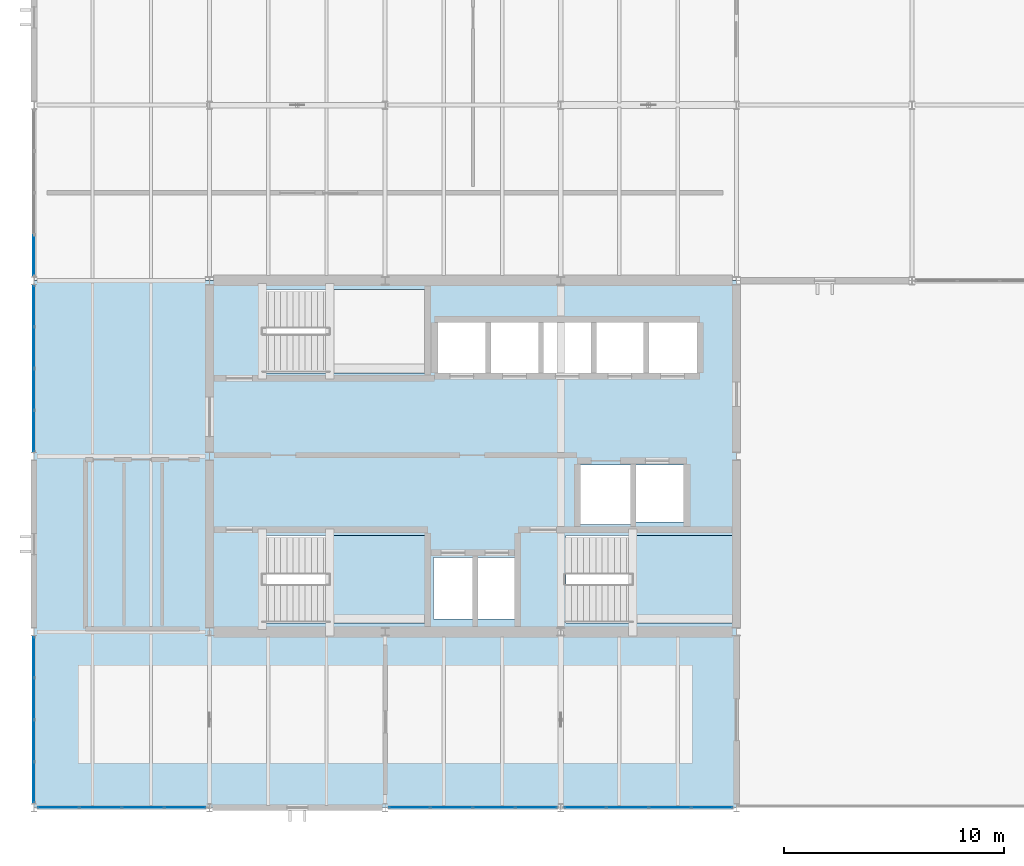
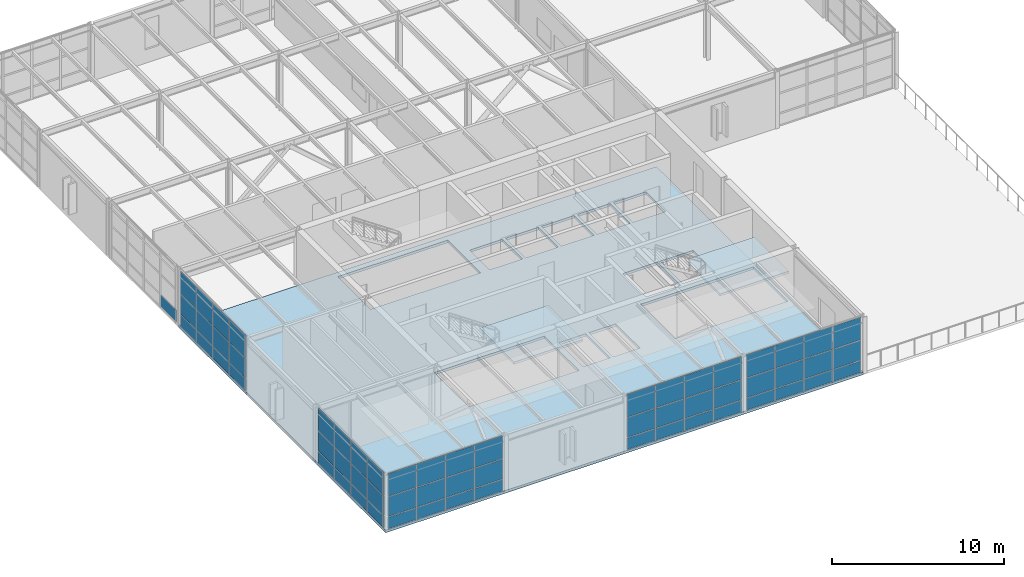
# One storey, part 15 of 21: 61 plates, 3 slabs, 8 elements without a shape of their own.
"""IFC4 building model written with IfcOpenShell, lengths in metres."""

from ifc_helpers import new_model, si_unit, direction, frame, origin, origin_2d, place, context, subcontext, project, spatial, polyline, rectangle, outline, extrude, material, layer, layer_set, type_object, element, aggregate, save


model = new_model("IFC4")

# Units and contexts
model_context = context("Model", 3, precision=1e-05, world=origin(), true_north=direction((0.0, 1.0)))
body_context = subcontext(model_context, "Body", "Model", "MODEL_VIEW")
ifc_project = project(units=[si_unit("LENGTHUNIT", "METRE"), si_unit("AREAUNIT", "SQUARE_METRE"), si_unit("VOLUMEUNIT", "CUBIC_METRE"), si_unit("PLANEANGLEUNIT", "RADIAN"), si_unit("MASSUNIT", "GRAM", prefix="KILO")], contexts=[model_context])

# Site, building, storey
site_placement = place(None, origin())
site = spatial("IfcSite", under=ifc_project, at=site_placement, CompositionType="ELEMENT")
building_placement = place(site_placement, origin())
building = spatial("IfcBuilding", under=site, at=building_placement, Name="Varnela Railside Interchange", CompositionType="ELEMENT")
storey_placement = place(building_placement, frame((0.0, 0.0, 23.800048828125)))
storey = spatial("IfcBuildingStorey", under=building, at=storey_placement, Name="L05", CompositionType="ELEMENT", Elevation=23.800048828125)

# Curtain wall, plates
ifc_material_1 = material(Name="Aluminium 6063-T6", Category="aluminium")
ifc_layer_1 = layer(ifc_material_1, 0.035888671875)
ifc_layer_set_1 = layer_set([ifc_layer_1], Name="Aluminium 6063-T6")
curtain_wall_type = type_object("IfcCurtainWallType", Name="Operations Wing Facade Curtain Wall CW-03", PredefinedType="USERDEFINED", material=ifc_layer_set_1)
curtain_wall_1_placement = place(storey_placement, origin())
curtain_wall_1 = element("IfcCurtainWall", 1, at=curtain_wall_1_placement, inside=storey, type_object=curtain_wall_type, Name="Curtain Wall CW-03 (L05) (CW-123)", ObjectType="CURTAIN WALL", PredefinedType="USERDEFINED")
ifc_material_2 = material(Name="Glass laminated double", Category="glass")
ifc_layer_2 = layer(ifc_material_2, 0.0400390625)
ifc_layer_set_2 = layer_set([ifc_layer_2], Name="Glass laminated double")
plate_type = type_object("IfcPlateType", Name="Acoustic Laminated Vision GL-03", PredefinedType="CURTAIN_PANEL", material=ifc_layer_set_2)
plate_1_placement = place(storey_placement, frame((34.888671875, 46.0, 0.059814453125), z_axis=(0.0, 0.0, 1.0), x_axis=(-1.0, 0.0, 0.0)))
plate_1 = element("IfcPlate", 2, at=plate_1_placement, type_object=plate_type, Name="CW-03 panel 1.1", PredefinedType="CURTAIN_PANEL", context=body_context, shape_type="SweptSolid", body=[
    extrude(rectangle(XDim=1.845703125, YDim=0.0400390625, at=origin_2d()), origin(), (0.0, 0.0, 1.0), 0.81005859375),
])
plate_2_placement = place(storey_placement, frame((34.888671875, 46.0, 0.929931640625), z_axis=(0.0, 0.0, 1.0), x_axis=(-1.0, 0.0, 0.0)))
plate_2 = element("IfcPlate", 3, at=plate_2_placement, type_object=plate_type, Name="CW-03 panel 1.2", PredefinedType="CURTAIN_PANEL", context=body_context, shape_type="SweptSolid", body=[
    extrude(rectangle(XDim=1.845703125, YDim=0.0400390625, at=origin_2d()), origin(), (0.0, 0.0, 1.0), 1.37158203125),
])
plate_3_placement = place(storey_placement, frame((34.888671875, 46.0, 2.361328125), z_axis=(0.0, 0.0, 1.0), x_axis=(-1.0, 0.0, 0.0)))
plate_3 = element("IfcPlate", 4, at=plate_3_placement, type_object=plate_type, Name="CW-03 panel 1.3", PredefinedType="CURTAIN_PANEL", context=body_context, shape_type="SweptSolid", body=[
    extrude(rectangle(XDim=1.845703125, YDim=0.0400390625, at=origin_2d()), origin(), (0.0, 0.0, 1.0), 1.598388671875),
])
plate_4_placement = place(storey_placement, frame((32.9677734375, 46.0, 0.059814453125), z_axis=(0.0, 0.0, 1.0), x_axis=(-1.0, 0.0, 0.0)))
plate_4 = element("IfcPlate", 5, at=plate_4_placement, type_object=plate_type, Name="CW-03 panel 2.1", PredefinedType="CURTAIN_PANEL", context=body_context, shape_type="SweptSolid", body=[
    extrude(rectangle(XDim=1.875732421875, YDim=0.0400390625, at=origin_2d()), origin(), (0.0, 0.0, 1.0), 0.81005859375),
])
plate_5_placement = place(storey_placement, frame((32.9677734375, 46.0, 0.929931640625), z_axis=(0.0, 0.0, 1.0), x_axis=(-1.0, 0.0, 0.0)))
plate_5 = element("IfcPlate", 6, at=plate_5_placement, type_object=plate_type, Name="CW-03 panel 2.2", PredefinedType="CURTAIN_PANEL", context=body_context, shape_type="SweptSolid", body=[
    extrude(rectangle(XDim=1.875732421875, YDim=0.0400390625, at=origin_2d()), origin(), (0.0, 0.0, 1.0), 1.37158203125),
])
plate_6_placement = place(storey_placement, frame((32.9677734375, 46.0, 2.361328125), z_axis=(0.0, 0.0, 1.0), x_axis=(-1.0, 0.0, 0.0)))
plate_6 = element("IfcPlate", 7, at=plate_6_placement, type_object=plate_type, Name="CW-03 panel 2.3", PredefinedType="CURTAIN_PANEL", context=body_context, shape_type="SweptSolid", body=[
    extrude(rectangle(XDim=1.875732421875, YDim=0.0400390625, at=origin_2d()), origin(), (0.0, 0.0, 1.0), 1.598388671875),
])
plate_7_placement = place(storey_placement, frame((31.0322265625, 46.0, 0.059814453125), z_axis=(0.0, 0.0, 1.0), x_axis=(-1.0, 0.0, 0.0)))
plate_7 = element("IfcPlate", 8, at=plate_7_placement, type_object=plate_type, Name="CW-03 panel 3.1", PredefinedType="CURTAIN_PANEL", context=body_context, shape_type="SweptSolid", body=[
    extrude(rectangle(XDim=1.875732421875, YDim=0.0400390625, at=origin_2d()), origin(), (0.0, 0.0, 1.0), 0.81005859375),
])
plate_8_placement = place(storey_placement, frame((31.0322265625, 46.0, 0.929931640625), z_axis=(0.0, 0.0, 1.0), x_axis=(-1.0, 0.0, 0.0)))
plate_8 = element("IfcPlate", 9, at=plate_8_placement, type_object=plate_type, Name="CW-03 panel 3.2", PredefinedType="CURTAIN_PANEL", context=body_context, shape_type="SweptSolid", body=[
    extrude(rectangle(XDim=1.875732421875, YDim=0.0400390625, at=origin_2d()), origin(), (0.0, 0.0, 1.0), 1.37158203125),
])
plate_9_placement = place(storey_placement, frame((31.0322265625, 46.0, 2.361328125), z_axis=(0.0, 0.0, 1.0), x_axis=(-1.0, 0.0, 0.0)))
plate_9 = element("IfcPlate", 10, at=plate_9_placement, type_object=plate_type, Name="CW-03 panel 3.3", PredefinedType="CURTAIN_PANEL", context=body_context, shape_type="SweptSolid", body=[
    extrude(rectangle(XDim=1.875732421875, YDim=0.0400390625, at=origin_2d()), origin(), (0.0, 0.0, 1.0), 1.598388671875),
])
plate_10_placement = place(storey_placement, frame((29.111328125, 46.0, 0.059814453125), z_axis=(0.0, 0.0, 1.0), x_axis=(-1.0, 0.0, 0.0)))
plate_10 = element("IfcPlate", 11, at=plate_10_placement, type_object=plate_type, Name="CW-03 panel 4.1", PredefinedType="CURTAIN_PANEL", context=body_context, shape_type="SweptSolid", body=[
    extrude(rectangle(XDim=1.845703125, YDim=0.0400390625, at=origin_2d()), origin(), (0.0, 0.0, 1.0), 0.81005859375),
])
plate_11_placement = place(storey_placement, frame((29.111328125, 46.0, 0.929931640625), z_axis=(0.0, 0.0, 1.0), x_axis=(-1.0, 0.0, 0.0)))
plate_11 = element("IfcPlate", 12, at=plate_11_placement, type_object=plate_type, Name="CW-03 panel 4.2", PredefinedType="CURTAIN_PANEL", context=body_context, shape_type="SweptSolid", body=[
    extrude(rectangle(XDim=1.845703125, YDim=0.0400390625, at=origin_2d()), origin(), (0.0, 0.0, 1.0), 1.37158203125),
])
plate_12_placement = place(storey_placement, frame((29.111328125, 46.0, 2.361328125), z_axis=(0.0, 0.0, 1.0), x_axis=(-1.0, 0.0, 0.0)))
plate_12 = element("IfcPlate", 13, at=plate_12_placement, type_object=plate_type, Name="CW-03 panel 4.3", PredefinedType="CURTAIN_PANEL", context=body_context, shape_type="SweptSolid", body=[
    extrude(rectangle(XDim=1.845703125, YDim=0.0400390625, at=origin_2d()), origin(), (0.0, 0.0, 1.0), 1.598388671875),
])
aggregate(curtain_wall_1, [plate_1, plate_2, plate_3, plate_4, plate_5, plate_6, plate_7, plate_8, plate_9, plate_10, plate_11, plate_12])

curtain_wall_2_placement = place(storey_placement, origin())
curtain_wall_2 = element("IfcCurtainWall", 14, at=curtain_wall_2_placement, inside=storey, type_object=curtain_wall_type, Name="Curtain Wall CW-03 (L05) (CW-131)", ObjectType="CURTAIN WALL", PredefinedType="USERDEFINED")
plate_13_placement = place(storey_placement, frame((26.888671875, 46.0, 0.059814453125), z_axis=(0.0, 0.0, 1.0), x_axis=(-1.0, 0.0, 0.0)))
plate_13 = element("IfcPlate", 15, at=plate_13_placement, type_object=plate_type, Name="CW-03 panel 1.1", PredefinedType="CURTAIN_PANEL", context=body_context, shape_type="SweptSolid", body=[
    extrude(rectangle(XDim=1.845703125, YDim=0.0400390625, at=origin_2d()), origin(), (0.0, 0.0, 1.0), 0.81005859375),
])
plate_14_placement = place(storey_placement, frame((26.888671875, 46.0, 0.929931640625), z_axis=(0.0, 0.0, 1.0), x_axis=(-1.0, 0.0, 0.0)))
plate_14 = element("IfcPlate", 16, at=plate_14_placement, type_object=plate_type, Name="CW-03 panel 1.2", PredefinedType="CURTAIN_PANEL", context=body_context, shape_type="SweptSolid", body=[
    extrude(rectangle(XDim=1.845703125, YDim=0.0400390625, at=origin_2d()), origin(), (0.0, 0.0, 1.0), 1.37158203125),
])
plate_15_placement = place(storey_placement, frame((26.888671875, 46.0, 2.361328125), z_axis=(0.0, 0.0, 1.0), x_axis=(-1.0, 0.0, 0.0)))
plate_15 = element("IfcPlate", 17, at=plate_15_placement, type_object=plate_type, Name="CW-03 panel 1.3", PredefinedType="CURTAIN_PANEL", context=body_context, shape_type="SweptSolid", body=[
    extrude(rectangle(XDim=1.845703125, YDim=0.0400390625, at=origin_2d()), origin(), (0.0, 0.0, 1.0), 1.598388671875),
])
plate_16_placement = place(storey_placement, frame((24.9677734375, 46.0, 0.059814453125), z_axis=(0.0, 0.0, 1.0), x_axis=(-1.0, 0.0, 0.0)))
plate_16 = element("IfcPlate", 18, at=plate_16_placement, type_object=plate_type, Name="CW-03 panel 2.1", PredefinedType="CURTAIN_PANEL", context=body_context, shape_type="SweptSolid", body=[
    extrude(rectangle(XDim=1.875732421875, YDim=0.0400390625, at=origin_2d()), origin(), (0.0, 0.0, 1.0), 0.81005859375),
])
plate_17_placement = place(storey_placement, frame((24.9677734375, 46.0, 0.929931640625), z_axis=(0.0, 0.0, 1.0), x_axis=(-1.0, 0.0, 0.0)))
plate_17 = element("IfcPlate", 19, at=plate_17_placement, type_object=plate_type, Name="CW-03 panel 2.2", PredefinedType="CURTAIN_PANEL", context=body_context, shape_type="SweptSolid", body=[
    extrude(rectangle(XDim=1.875732421875, YDim=0.0400390625, at=origin_2d()), origin(), (0.0, 0.0, 1.0), 1.37158203125),
])
plate_18_placement = place(storey_placement, frame((24.9677734375, 46.0, 2.361328125), z_axis=(0.0, 0.0, 1.0), x_axis=(-1.0, 0.0, 0.0)))
plate_18 = element("IfcPlate", 20, at=plate_18_placement, type_object=plate_type, Name="CW-03 panel 2.3", PredefinedType="CURTAIN_PANEL", context=body_context, shape_type="SweptSolid", body=[
    extrude(rectangle(XDim=1.875732421875, YDim=0.0400390625, at=origin_2d()), origin(), (0.0, 0.0, 1.0), 1.598388671875),
])
plate_19_placement = place(storey_placement, frame((23.0322265625, 46.0, 0.059814453125), z_axis=(0.0, 0.0, 1.0), x_axis=(-1.0, 0.0, 0.0)))
plate_19 = element("IfcPlate", 21, at=plate_19_placement, type_object=plate_type, Name="CW-03 panel 3.1", PredefinedType="CURTAIN_PANEL", context=body_context, shape_type="SweptSolid", body=[
    extrude(rectangle(XDim=1.875732421875, YDim=0.0400390625, at=origin_2d()), origin(), (0.0, 0.0, 1.0), 0.81005859375),
])
plate_20_placement = place(storey_placement, frame((23.0322265625, 46.0, 0.929931640625), z_axis=(0.0, 0.0, 1.0), x_axis=(-1.0, 0.0, 0.0)))
plate_20 = element("IfcPlate", 22, at=plate_20_placement, type_object=plate_type, Name="CW-03 panel 3.2", PredefinedType="CURTAIN_PANEL", context=body_context, shape_type="SweptSolid", body=[
    extrude(rectangle(XDim=1.875732421875, YDim=0.0400390625, at=origin_2d()), origin(), (0.0, 0.0, 1.0), 1.37158203125),
])
plate_21_placement = place(storey_placement, frame((23.0322265625, 46.0, 2.361328125), z_axis=(0.0, 0.0, 1.0), x_axis=(-1.0, 0.0, 0.0)))
plate_21 = element("IfcPlate", 23, at=plate_21_placement, type_object=plate_type, Name="CW-03 panel 3.3", PredefinedType="CURTAIN_PANEL", context=body_context, shape_type="SweptSolid", body=[
    extrude(rectangle(XDim=1.875732421875, YDim=0.0400390625, at=origin_2d()), origin(), (0.0, 0.0, 1.0), 1.598388671875),
])
plate_22_placement = place(storey_placement, frame((21.111328125, 46.0, 0.059814453125), z_axis=(0.0, 0.0, 1.0), x_axis=(-1.0, 0.0, 0.0)))
plate_22 = element("IfcPlate", 24, at=plate_22_placement, type_object=plate_type, Name="CW-03 panel 4.1", PredefinedType="CURTAIN_PANEL", context=body_context, shape_type="SweptSolid", body=[
    extrude(rectangle(XDim=1.845703125, YDim=0.0400390625, at=origin_2d()), origin(), (0.0, 0.0, 1.0), 0.81005859375),
])
plate_23_placement = place(storey_placement, frame((21.111328125, 46.0, 0.929931640625), z_axis=(0.0, 0.0, 1.0), x_axis=(-1.0, 0.0, 0.0)))
plate_23 = element("IfcPlate", 25, at=plate_23_placement, type_object=plate_type, Name="CW-03 panel 4.2", PredefinedType="CURTAIN_PANEL", context=body_context, shape_type="SweptSolid", body=[
    extrude(rectangle(XDim=1.845703125, YDim=0.0400390625, at=origin_2d()), origin(), (0.0, 0.0, 1.0), 1.37158203125),
])
plate_24_placement = place(storey_placement, frame((21.111328125, 46.0, 2.361328125), z_axis=(0.0, 0.0, 1.0), x_axis=(-1.0, 0.0, 0.0)))
plate_24 = element("IfcPlate", 26, at=plate_24_placement, type_object=plate_type, Name="CW-03 panel 4.3", PredefinedType="CURTAIN_PANEL", context=body_context, shape_type="SweptSolid", body=[
    extrude(rectangle(XDim=1.845703125, YDim=0.0400390625, at=origin_2d()), origin(), (0.0, 0.0, 1.0), 1.598388671875),
])
aggregate(curtain_wall_2, [plate_13, plate_14, plate_15, plate_16, plate_17, plate_18, plate_19, plate_20, plate_21, plate_22, plate_23, plate_24])

curtain_wall_3_placement = place(storey_placement, origin())
curtain_wall_3 = element("IfcCurtainWall", 27, at=curtain_wall_3_placement, inside=storey, type_object=curtain_wall_type, Name="Curtain Wall CW-03 (L05) (CW-133)", ObjectType="CURTAIN WALL", PredefinedType="USERDEFINED")
plate_25_placement = place(storey_placement, frame((10.888671875, 46.0, 0.059814453125), z_axis=(0.0, 0.0, 1.0), x_axis=(-1.0, 0.0, 0.0)))
plate_25 = element("IfcPlate", 28, at=plate_25_placement, type_object=plate_type, Name="CW-03 panel 1.1", PredefinedType="CURTAIN_PANEL", context=body_context, shape_type="SweptSolid", body=[
    extrude(rectangle(XDim=1.845703125, YDim=0.0400390625, at=origin_2d()), origin(), (0.0, 0.0, 1.0), 0.81005859375),
])
plate_26_placement = place(storey_placement, frame((10.888671875, 46.0, 0.929931640625), z_axis=(0.0, 0.0, 1.0), x_axis=(-1.0, 0.0, 0.0)))
plate_26 = element("IfcPlate", 29, at=plate_26_placement, type_object=plate_type, Name="CW-03 panel 1.2", PredefinedType="CURTAIN_PANEL", context=body_context, shape_type="SweptSolid", body=[
    extrude(rectangle(XDim=1.845703125, YDim=0.0400390625, at=origin_2d()), origin(), (0.0, 0.0, 1.0), 1.37158203125),
])
plate_27_placement = place(storey_placement, frame((10.888671875, 46.0, 2.361328125), z_axis=(0.0, 0.0, 1.0), x_axis=(-1.0, 0.0, 0.0)))
plate_27 = element("IfcPlate", 30, at=plate_27_placement, type_object=plate_type, Name="CW-03 panel 1.3", PredefinedType="CURTAIN_PANEL", context=body_context, shape_type="SweptSolid", body=[
    extrude(rectangle(XDim=1.845703125, YDim=0.0400390625, at=origin_2d()), origin(), (0.0, 0.0, 1.0), 1.598388671875),
])
plate_28_placement = place(storey_placement, frame((8.9677734375, 46.0, 0.059814453125), z_axis=(0.0, 0.0, 1.0), x_axis=(-1.0, 0.0, 0.0)))
plate_28 = element("IfcPlate", 31, at=plate_28_placement, type_object=plate_type, Name="CW-03 panel 2.1", PredefinedType="CURTAIN_PANEL", context=body_context, shape_type="SweptSolid", body=[
    extrude(rectangle(XDim=1.875732421875, YDim=0.0400390625, at=origin_2d()), origin(), (0.0, 0.0, 1.0), 0.81005859375),
])
plate_29_placement = place(storey_placement, frame((8.9677734375, 46.0, 0.929931640625), z_axis=(0.0, 0.0, 1.0), x_axis=(-1.0, 0.0, 0.0)))
plate_29 = element("IfcPlate", 32, at=plate_29_placement, type_object=plate_type, Name="CW-03 panel 2.2", PredefinedType="CURTAIN_PANEL", context=body_context, shape_type="SweptSolid", body=[
    extrude(rectangle(XDim=1.875732421875, YDim=0.0400390625, at=origin_2d()), origin(), (0.0, 0.0, 1.0), 1.37158203125),
])
plate_30_placement = place(storey_placement, frame((8.9677734375, 46.0, 2.361328125), z_axis=(0.0, 0.0, 1.0), x_axis=(-1.0, 0.0, 0.0)))
plate_30 = element("IfcPlate", 33, at=plate_30_placement, type_object=plate_type, Name="CW-03 panel 2.3", PredefinedType="CURTAIN_PANEL", context=body_context, shape_type="SweptSolid", body=[
    extrude(rectangle(XDim=1.875732421875, YDim=0.0400390625, at=origin_2d()), origin(), (0.0, 0.0, 1.0), 1.598388671875),
])
plate_31_placement = place(storey_placement, frame((7.0322265625, 46.0, 0.059814453125), z_axis=(0.0, 0.0, 1.0), x_axis=(-1.0, 0.0, 0.0)))
plate_31 = element("IfcPlate", 34, at=plate_31_placement, type_object=plate_type, Name="CW-03 panel 3.1", PredefinedType="CURTAIN_PANEL", context=body_context, shape_type="SweptSolid", body=[
    extrude(rectangle(XDim=1.875732421875, YDim=0.0400390625, at=origin_2d()), origin(), (0.0, 0.0, 1.0), 0.81005859375),
])
plate_32_placement = place(storey_placement, frame((7.0322265625, 46.0, 0.929931640625), z_axis=(0.0, 0.0, 1.0), x_axis=(-1.0, 0.0, 0.0)))
plate_32 = element("IfcPlate", 35, at=plate_32_placement, type_object=plate_type, Name="CW-03 panel 3.2", PredefinedType="CURTAIN_PANEL", context=body_context, shape_type="SweptSolid", body=[
    extrude(rectangle(XDim=1.875732421875, YDim=0.0400390625, at=origin_2d()), origin(), (0.0, 0.0, 1.0), 1.37158203125),
])
plate_33_placement = place(storey_placement, frame((7.0322265625, 46.0, 2.361328125), z_axis=(0.0, 0.0, 1.0), x_axis=(-1.0, 0.0, 0.0)))
plate_33 = element("IfcPlate", 36, at=plate_33_placement, type_object=plate_type, Name="CW-03 panel 3.3", PredefinedType="CURTAIN_PANEL", context=body_context, shape_type="SweptSolid", body=[
    extrude(rectangle(XDim=1.875732421875, YDim=0.0400390625, at=origin_2d()), origin(), (0.0, 0.0, 1.0), 1.598388671875),
])
plate_34_placement = place(storey_placement, frame((5.111328125, 46.0, 0.059814453125), z_axis=(0.0, 0.0, 1.0), x_axis=(-1.0, 0.0, 0.0)))
plate_34 = element("IfcPlate", 37, at=plate_34_placement, type_object=plate_type, Name="CW-03 panel 4.1", PredefinedType="CURTAIN_PANEL", context=body_context, shape_type="SweptSolid", body=[
    extrude(rectangle(XDim=1.845703125, YDim=0.0400390625, at=origin_2d()), origin(), (0.0, 0.0, 1.0), 0.81005859375),
])
plate_35_placement = place(storey_placement, frame((5.111328125, 46.0, 0.929931640625), z_axis=(0.0, 0.0, 1.0), x_axis=(-1.0, 0.0, 0.0)))
plate_35 = element("IfcPlate", 38, at=plate_35_placement, type_object=plate_type, Name="CW-03 panel 4.2", PredefinedType="CURTAIN_PANEL", context=body_context, shape_type="SweptSolid", body=[
    extrude(rectangle(XDim=1.845703125, YDim=0.0400390625, at=origin_2d()), origin(), (0.0, 0.0, 1.0), 1.37158203125),
])
plate_36_placement = place(storey_placement, frame((5.111328125, 46.0, 2.361328125), z_axis=(0.0, 0.0, 1.0), x_axis=(-1.0, 0.0, 0.0)))
plate_36 = element("IfcPlate", 39, at=plate_36_placement, type_object=plate_type, Name="CW-03 panel 4.3", PredefinedType="CURTAIN_PANEL", context=body_context, shape_type="SweptSolid", body=[
    extrude(rectangle(XDim=1.845703125, YDim=0.0400390625, at=origin_2d()), origin(), (0.0, 0.0, 1.0), 1.598388671875),
])
aggregate(curtain_wall_3, [plate_25, plate_26, plate_27, plate_28, plate_29, plate_30, plate_31, plate_32, plate_33, plate_34, plate_35, plate_36])

curtain_wall_4_placement = place(storey_placement, origin())
curtain_wall_4 = element("IfcCurtainWall", 40, at=curtain_wall_4_placement, inside=storey, type_object=curtain_wall_type, Name="Curtain Wall CW-03 (L05) (CW-134)", ObjectType="CURTAIN WALL", PredefinedType="USERDEFINED")
plate_37_placement = place(storey_placement, frame((4.0, 47.151123046875, 0.059814453125), z_axis=(0.0, 0.0, 1.0), x_axis=(0.0, 1.0, 0.0)))
plate_37 = element("IfcPlate", 41, at=plate_37_placement, type_object=plate_type, Name="CW-03 panel 1.1", PredefinedType="CURTAIN_PANEL", context=body_context, shape_type="SweptSolid", body=[
    extrude(rectangle(XDim=1.8193359375, YDim=0.0400390625, at=origin_2d()), origin(), (0.0, 0.0, 1.0), 0.81005859375),
])
plate_38_placement = place(storey_placement, frame((4.0, 47.151123046875, 0.929931640625), z_axis=(0.0, 0.0, 1.0), x_axis=(0.0, 1.0, 0.0)))
plate_38 = element("IfcPlate", 42, at=plate_38_placement, type_object=plate_type, Name="CW-03 panel 1.2", PredefinedType="CURTAIN_PANEL", context=body_context, shape_type="SweptSolid", body=[
    extrude(rectangle(XDim=1.8193359375, YDim=0.0400390625, at=origin_2d()), origin(), (0.0, 0.0, 1.0), 1.37158203125),
])
plate_39_placement = place(storey_placement, frame((4.0, 47.151123046875, 2.361328125), z_axis=(0.0, 0.0, 1.0), x_axis=(0.0, 1.0, 0.0)))
plate_39 = element("IfcPlate", 43, at=plate_39_placement, type_object=plate_type, Name="CW-03 panel 1.3", PredefinedType="CURTAIN_PANEL", context=body_context, shape_type="SweptSolid", body=[
    extrude(rectangle(XDim=1.8193359375, YDim=0.0400390625, at=origin_2d()), origin(), (0.0, 0.0, 1.0), 1.598388671875),
])
plate_40_placement = place(storey_placement, frame((4.0, 49.04541015625, 0.059814453125), z_axis=(0.0, 0.0, 1.0), x_axis=(0.0, 1.0, 0.0)))
plate_40 = element("IfcPlate", 44, at=plate_40_placement, type_object=plate_type, Name="CW-03 panel 2.1", PredefinedType="CURTAIN_PANEL", context=body_context, shape_type="SweptSolid", body=[
    extrude(rectangle(XDim=1.849365234375, YDim=0.0400390625, at=origin_2d()), origin(), (0.0, 0.0, 1.0), 0.81005859375),
])
plate_41_placement = place(storey_placement, frame((4.0, 49.04541015625, 0.929931640625), z_axis=(0.0, 0.0, 1.0), x_axis=(0.0, 1.0, 0.0)))
plate_41 = element("IfcPlate", 45, at=plate_41_placement, type_object=plate_type, Name="CW-03 panel 2.2", PredefinedType="CURTAIN_PANEL", context=body_context, shape_type="SweptSolid", body=[
    extrude(rectangle(XDim=1.849365234375, YDim=0.0400390625, at=origin_2d()), origin(), (0.0, 0.0, 1.0), 1.37158203125),
])
plate_42_placement = place(storey_placement, frame((4.0, 49.04541015625, 2.361328125), z_axis=(0.0, 0.0, 1.0), x_axis=(0.0, 1.0, 0.0)))
plate_42 = element("IfcPlate", 46, at=plate_42_placement, type_object=plate_type, Name="CW-03 panel 2.3", PredefinedType="CURTAIN_PANEL", context=body_context, shape_type="SweptSolid", body=[
    extrude(rectangle(XDim=1.849365234375, YDim=0.0400390625, at=origin_2d()), origin(), (0.0, 0.0, 1.0), 1.598388671875),
])
plate_43_placement = place(storey_placement, frame((4.0, 50.95458984375, 0.059814453125), z_axis=(0.0, 0.0, 1.0), x_axis=(0.0, 1.0, 0.0)))
plate_43 = element("IfcPlate", 47, at=plate_43_placement, type_object=plate_type, Name="CW-03 panel 3.1", PredefinedType="CURTAIN_PANEL", context=body_context, shape_type="SweptSolid", body=[
    extrude(rectangle(XDim=1.849365234375, YDim=0.0400390625, at=origin_2d()), origin(), (0.0, 0.0, 1.0), 0.81005859375),
])
plate_44_placement = place(storey_placement, frame((4.0, 50.95458984375, 0.929931640625), z_axis=(0.0, 0.0, 1.0), x_axis=(0.0, 1.0, 0.0)))
plate_44 = element("IfcPlate", 48, at=plate_44_placement, type_object=plate_type, Name="CW-03 panel 3.2", PredefinedType="CURTAIN_PANEL", context=body_context, shape_type="SweptSolid", body=[
    extrude(rectangle(XDim=1.849365234375, YDim=0.0400390625, at=origin_2d()), origin(), (0.0, 0.0, 1.0), 1.37158203125),
])
plate_45_placement = place(storey_placement, frame((4.0, 50.95458984375, 2.361328125), z_axis=(0.0, 0.0, 1.0), x_axis=(0.0, 1.0, 0.0)))
plate_45 = element("IfcPlate", 49, at=plate_45_placement, type_object=plate_type, Name="CW-03 panel 3.3", PredefinedType="CURTAIN_PANEL", context=body_context, shape_type="SweptSolid", body=[
    extrude(rectangle(XDim=1.849365234375, YDim=0.0400390625, at=origin_2d()), origin(), (0.0, 0.0, 1.0), 1.598388671875),
])
plate_46_placement = place(storey_placement, frame((4.0, 52.848876953125, 0.059814453125), z_axis=(0.0, 0.0, 1.0), x_axis=(0.0, 1.0, 0.0)))
plate_46 = element("IfcPlate", 50, at=plate_46_placement, type_object=plate_type, Name="CW-03 panel 4.1", PredefinedType="CURTAIN_PANEL", context=body_context, shape_type="SweptSolid", body=[
    extrude(rectangle(XDim=1.8193359375, YDim=0.0400390625, at=origin_2d()), origin(), (0.0, 0.0, 1.0), 0.81005859375),
])
plate_47_placement = place(storey_placement, frame((4.0, 52.848876953125, 0.929931640625), z_axis=(0.0, 0.0, 1.0), x_axis=(0.0, 1.0, 0.0)))
plate_47 = element("IfcPlate", 51, at=plate_47_placement, type_object=plate_type, Name="CW-03 panel 4.2", PredefinedType="CURTAIN_PANEL", context=body_context, shape_type="SweptSolid", body=[
    extrude(rectangle(XDim=1.8193359375, YDim=0.0400390625, at=origin_2d()), origin(), (0.0, 0.0, 1.0), 1.37158203125),
])
plate_48_placement = place(storey_placement, frame((4.0, 52.848876953125, 2.361328125), z_axis=(0.0, 0.0, 1.0), x_axis=(0.0, 1.0, 0.0)))
plate_48 = element("IfcPlate", 52, at=plate_48_placement, type_object=plate_type, Name="CW-03 panel 4.3", PredefinedType="CURTAIN_PANEL", context=body_context, shape_type="SweptSolid", body=[
    extrude(rectangle(XDim=1.8193359375, YDim=0.0400390625, at=origin_2d()), origin(), (0.0, 0.0, 1.0), 1.598388671875),
])
aggregate(curtain_wall_4, [plate_37, plate_38, plate_39, plate_40, plate_41, plate_42, plate_43, plate_44, plate_45, plate_46, plate_47, plate_48])

curtain_wall_5_placement = place(storey_placement, origin())
curtain_wall_5 = element("IfcCurtainWall", 53, at=curtain_wall_5_placement, inside=storey, type_object=curtain_wall_type, Name="Curtain Wall CW-03 (L05) (CW-135)", ObjectType="CURTAIN WALL", PredefinedType="USERDEFINED")
plate_49_placement = place(storey_placement, frame((4.0, 63.151123046875, 0.059814453125), z_axis=(0.0, 0.0, 1.0), x_axis=(0.0, 1.0, 0.0)))
plate_49 = element("IfcPlate", 54, at=plate_49_placement, type_object=plate_type, Name="CW-03 panel 1.1", PredefinedType="CURTAIN_PANEL", context=body_context, shape_type="SweptSolid", body=[
    extrude(rectangle(XDim=1.8193359375, YDim=0.0400390625, at=origin_2d()), origin(), (0.0, 0.0, 1.0), 0.81005859375),
])
plate_50_placement = place(storey_placement, frame((4.0, 63.151123046875, 0.929931640625), z_axis=(0.0, 0.0, 1.0), x_axis=(0.0, 1.0, 0.0)))
plate_50 = element("IfcPlate", 55, at=plate_50_placement, type_object=plate_type, Name="CW-03 panel 1.2", PredefinedType="CURTAIN_PANEL", context=body_context, shape_type="SweptSolid", body=[
    extrude(rectangle(XDim=1.8193359375, YDim=0.0400390625, at=origin_2d()), origin(), (0.0, 0.0, 1.0), 1.37158203125),
])
plate_51_placement = place(storey_placement, frame((4.0, 63.151123046875, 2.361328125), z_axis=(0.0, 0.0, 1.0), x_axis=(0.0, 1.0, 0.0)))
plate_51 = element("IfcPlate", 56, at=plate_51_placement, type_object=plate_type, Name="CW-03 panel 1.3", PredefinedType="CURTAIN_PANEL", context=body_context, shape_type="SweptSolid", body=[
    extrude(rectangle(XDim=1.8193359375, YDim=0.0400390625, at=origin_2d()), origin(), (0.0, 0.0, 1.0), 1.598388671875),
])
plate_52_placement = place(storey_placement, frame((4.0, 65.04541015625, 0.059814453125), z_axis=(0.0, 0.0, 1.0), x_axis=(0.0, 1.0, 0.0)))
plate_52 = element("IfcPlate", 57, at=plate_52_placement, type_object=plate_type, Name="CW-03 panel 2.1", PredefinedType="CURTAIN_PANEL", context=body_context, shape_type="SweptSolid", body=[
    extrude(rectangle(XDim=1.849365234375, YDim=0.0400390625, at=origin_2d()), origin(), (0.0, 0.0, 1.0), 0.81005859375),
])
plate_53_placement = place(storey_placement, frame((4.0, 65.04541015625, 0.929931640625), z_axis=(0.0, 0.0, 1.0), x_axis=(0.0, 1.0, 0.0)))
plate_53 = element("IfcPlate", 58, at=plate_53_placement, type_object=plate_type, Name="CW-03 panel 2.2", PredefinedType="CURTAIN_PANEL", context=body_context, shape_type="SweptSolid", body=[
    extrude(rectangle(XDim=1.849365234375, YDim=0.0400390625, at=origin_2d()), origin(), (0.0, 0.0, 1.0), 1.37158203125),
])
plate_54_placement = place(storey_placement, frame((4.0, 65.04541015625, 2.361328125), z_axis=(0.0, 0.0, 1.0), x_axis=(0.0, 1.0, 0.0)))
plate_54 = element("IfcPlate", 59, at=plate_54_placement, type_object=plate_type, Name="CW-03 panel 2.3", PredefinedType="CURTAIN_PANEL", context=body_context, shape_type="SweptSolid", body=[
    extrude(rectangle(XDim=1.849365234375, YDim=0.0400390625, at=origin_2d()), origin(), (0.0, 0.0, 1.0), 1.598388671875),
])
plate_55_placement = place(storey_placement, frame((4.0, 66.95458984375, 0.059814453125), z_axis=(0.0, 0.0, 1.0), x_axis=(0.0, 1.0, 0.0)))
plate_55 = element("IfcPlate", 60, at=plate_55_placement, type_object=plate_type, Name="CW-03 panel 3.1", PredefinedType="CURTAIN_PANEL", context=body_context, shape_type="SweptSolid", body=[
    extrude(rectangle(XDim=1.849365234375, YDim=0.0400390625, at=origin_2d()), origin(), (0.0, 0.0, 1.0), 0.81005859375),
])
plate_56_placement = place(storey_placement, frame((4.0, 66.95458984375, 0.929931640625), z_axis=(0.0, 0.0, 1.0), x_axis=(0.0, 1.0, 0.0)))
plate_56 = element("IfcPlate", 61, at=plate_56_placement, type_object=plate_type, Name="CW-03 panel 3.2", PredefinedType="CURTAIN_PANEL", context=body_context, shape_type="SweptSolid", body=[
    extrude(rectangle(XDim=1.849365234375, YDim=0.0400390625, at=origin_2d()), origin(), (0.0, 0.0, 1.0), 1.37158203125),
])
plate_57_placement = place(storey_placement, frame((4.0, 66.95458984375, 2.361328125), z_axis=(0.0, 0.0, 1.0), x_axis=(0.0, 1.0, 0.0)))
plate_57 = element("IfcPlate", 62, at=plate_57_placement, type_object=plate_type, Name="CW-03 panel 3.3", PredefinedType="CURTAIN_PANEL", context=body_context, shape_type="SweptSolid", body=[
    extrude(rectangle(XDim=1.849365234375, YDim=0.0400390625, at=origin_2d()), origin(), (0.0, 0.0, 1.0), 1.598388671875),
])
plate_58_placement = place(storey_placement, frame((4.0, 68.848876953125, 0.059814453125), z_axis=(0.0, 0.0, 1.0), x_axis=(0.0, 1.0, 0.0)))
plate_58 = element("IfcPlate", 63, at=plate_58_placement, type_object=plate_type, Name="CW-03 panel 4.1", PredefinedType="CURTAIN_PANEL", context=body_context, shape_type="SweptSolid", body=[
    extrude(rectangle(XDim=1.8193359375, YDim=0.0400390625, at=origin_2d()), origin(), (0.0, 0.0, 1.0), 0.81005859375),
])
plate_59_placement = place(storey_placement, frame((4.0, 68.848876953125, 0.929931640625), z_axis=(0.0, 0.0, 1.0), x_axis=(0.0, 1.0, 0.0)))
plate_59 = element("IfcPlate", 64, at=plate_59_placement, type_object=plate_type, Name="CW-03 panel 4.2", PredefinedType="CURTAIN_PANEL", context=body_context, shape_type="SweptSolid", body=[
    extrude(rectangle(XDim=1.8193359375, YDim=0.0400390625, at=origin_2d()), origin(), (0.0, 0.0, 1.0), 1.37158203125),
])
plate_60_placement = place(storey_placement, frame((4.0, 68.848876953125, 2.361328125), z_axis=(0.0, 0.0, 1.0), x_axis=(0.0, 1.0, 0.0)))
plate_60 = element("IfcPlate", 65, at=plate_60_placement, type_object=plate_type, Name="CW-03 panel 4.3", PredefinedType="CURTAIN_PANEL", context=body_context, shape_type="SweptSolid", body=[
    extrude(rectangle(XDim=1.8193359375, YDim=0.0400390625, at=origin_2d()), origin(), (0.0, 0.0, 1.0), 1.598388671875),
])
aggregate(curtain_wall_5, [plate_49, plate_50, plate_51, plate_52, plate_53, plate_54, plate_55, plate_56, plate_57, plate_58, plate_59, plate_60])

# Curtain wall, plate
curtain_wall_6_placement = place(storey_placement, origin())
curtain_wall_6 = element("IfcCurtainWall", 66, at=curtain_wall_6_placement, inside=storey, type_object=curtain_wall_type, Name="Curtain Wall CW-03 (L05) (CW-136)", ObjectType="CURTAIN WALL", PredefinedType="USERDEFINED")
plate_61_placement = place(storey_placement, frame((4.0, 71.151123046875, 0.059814453125), z_axis=(0.0, 0.0, 1.0), x_axis=(0.0, 1.0, 0.0)))
plate_61 = element("IfcPlate", 67, at=plate_61_placement, type_object=plate_type, Name="CW-03 panel 1.1", PredefinedType="CURTAIN_PANEL", context=body_context, shape_type="SweptSolid", body=[
    extrude(rectangle(XDim=1.8193359375, YDim=0.0400390625, at=origin_2d()), origin(), (0.0, 0.0, 1.0), 0.81005859375),
])
aggregate(curtain_wall_6, [plate_61])

# Slab
ifc_material_3 = material(Name="Concrete C40", Category="concrete")
ifc_layer_3 = layer(ifc_material_3, 0.179931640625)
ifc_layer_set_3 = layer_set([ifc_layer_3], Name="Concrete C40")
slab_type_1 = type_object("IfcSlabType", Name="Signalling Composite Slab SL-180A", PredefinedType="FLOOR", material=ifc_layer_set_3)
slab_1_placement = place(storey_placement, frame((0.0, 0.0, -0.179931640625)))
element("IfcSlab", 68, at=slab_1_placement, inside=storey, type_object=slab_type_1, Name="Signalling Composite Slab SL-180A (L05) (SL-0194)", PredefinedType="FLOOR", context=body_context, shape_type="SweptSolid", body=[
    extrude(outline(polyline([(4.0, 46.0), (36.0, 46.0), (36.0, 70.0), (4.0, 70.0), (4.0, 46.0)]), holes=[polyline([(14.429931640625, 54.39990234375), (21.800048828125, 54.39990234375), (21.800048828125, 58.39990234375), (14.429931640625, 58.39990234375), (14.429931640625, 54.39990234375)]), polyline([(28.22998046875, 54.39990234375), (35.800048828125, 54.39990234375), (35.800048828125, 58.39990234375), (28.22998046875, 58.39990234375), (28.22998046875, 54.39990234375)]), polyline([(14.429931640625, 65.800048828125), (21.800048828125, 65.800048828125), (21.800048828125, 69.60009765625), (14.429931640625, 69.60009765625), (14.429931640625, 65.800048828125)]), polyline([(22.199951171875, 54.60009765625), (24.0, 54.60009765625), (24.0, 57.39990234375), (22.199951171875, 57.39990234375), (22.199951171875, 54.60009765625)]), polyline([(24.199951171875, 54.60009765625), (26.0, 54.60009765625), (26.0, 57.39990234375), (24.199951171875, 57.39990234375), (24.199951171875, 54.60009765625)]), polyline([(22.39990234375, 65.800048828125), (24.60009765625, 65.800048828125), (24.60009765625, 68.10009765625), (22.39990234375, 68.10009765625), (22.39990234375, 65.800048828125)]), polyline([(24.800048828125, 65.800048828125), (27.0, 65.800048828125), (27.0, 68.10009765625), (24.800048828125, 68.10009765625), (24.800048828125, 65.800048828125)]), polyline([(27.199951171875, 65.800048828125), (29.39990234375, 65.800048828125), (29.39990234375, 68.10009765625), (27.199951171875, 68.10009765625), (27.199951171875, 65.800048828125)]), polyline([(29.60009765625, 65.800048828125), (31.800048828125, 65.800048828125), (31.800048828125, 68.10009765625), (29.60009765625, 68.10009765625), (29.60009765625, 65.800048828125)]), polyline([(32.0, 65.800048828125), (34.199951171875, 65.800048828125), (34.199951171875, 68.10009765625), (32.0, 68.10009765625), (32.0, 65.800048828125)]), polyline([(31.39990234375, 59.0), (33.60009765625, 59.0), (33.60009765625, 61.60009765625), (31.39990234375, 61.60009765625), (31.39990234375, 59.0)]), polyline([(28.89990234375, 58.89990234375), (31.199951171875, 58.89990234375), (31.199951171875, 61.60009765625), (28.89990234375, 61.60009765625), (28.89990234375, 58.89990234375)])]), origin(), (0.0, 0.0, 1.0), 0.179931640625),
])

# Stair, slab
stair_type = type_object("IfcStairType", Name="Core Pressurized Stair ST-165", PredefinedType="TWO_STRAIGHT_RUN_STAIR", material=ifc_material_3)
stair_1_placement = place(storey_placement, origin())
stair_1 = element("IfcStair", 69, at=stair_1_placement, inside=storey, type_object=stair_type, Name="Stair ST-T1 (L05) (SF-202)", PredefinedType="TWO_STRAIGHT_RUN_STAIR")
ifc_layer_4 = layer(ifc_material_3, 0.159912109375)
ifc_layer_set_4 = layer_set([ifc_layer_4], Name="Concrete C40")
slab_type_2 = type_object("IfcSlabType", Name="Stair Half-Landing Slab SL-LD", PredefinedType="LANDING", material=ifc_layer_set_4)
slab_2_placement = place(storey_placement, frame((0.0, 0.0, 1.93994140625)))
slab_2 = element("IfcSlab", 70, at=slab_2_placement, type_object=slab_type_2, Name="ST-T1 landing 1 (SL-0199)", PredefinedType="LANDING", context=body_context, shape_type="SweptSolid", body=[
    extrude(outline(polyline([(17.449951171875, 54.39990234375), (22.06005859375, 54.39990234375), (22.06005859375, 58.39990234375), (17.449951171875, 58.39990234375), (17.449951171875, 54.39990234375)])), origin(), (0.0, 0.0, 1.0), 0.159912109375),
])
aggregate(stair_1, [slab_2])

stair_2_placement = place(storey_placement, origin())
stair_2 = element("IfcStair", 71, at=stair_2_placement, inside=storey, type_object=stair_type, Name="Stair ST-T2 (L05) (SF-205)", PredefinedType="TWO_STRAIGHT_RUN_STAIR")
slab_3_placement = place(storey_placement, frame((0.0, 0.0, 1.93994140625)))
slab_3 = element("IfcSlab", 72, at=slab_3_placement, type_object=slab_type_2, Name="ST-T2 landing 1 (SL-0200)", PredefinedType="LANDING", context=body_context, shape_type="SweptSolid", body=[
    extrude(outline(polyline([(31.25, 54.39990234375), (35.860107421875, 54.39990234375), (35.860107421875, 58.39990234375), (31.25, 58.39990234375), (31.25, 54.39990234375)])), origin(), (0.0, 0.0, 1.0), 0.159912109375),
])
aggregate(stair_2, [slab_3])

save(model, "model.ifc")
